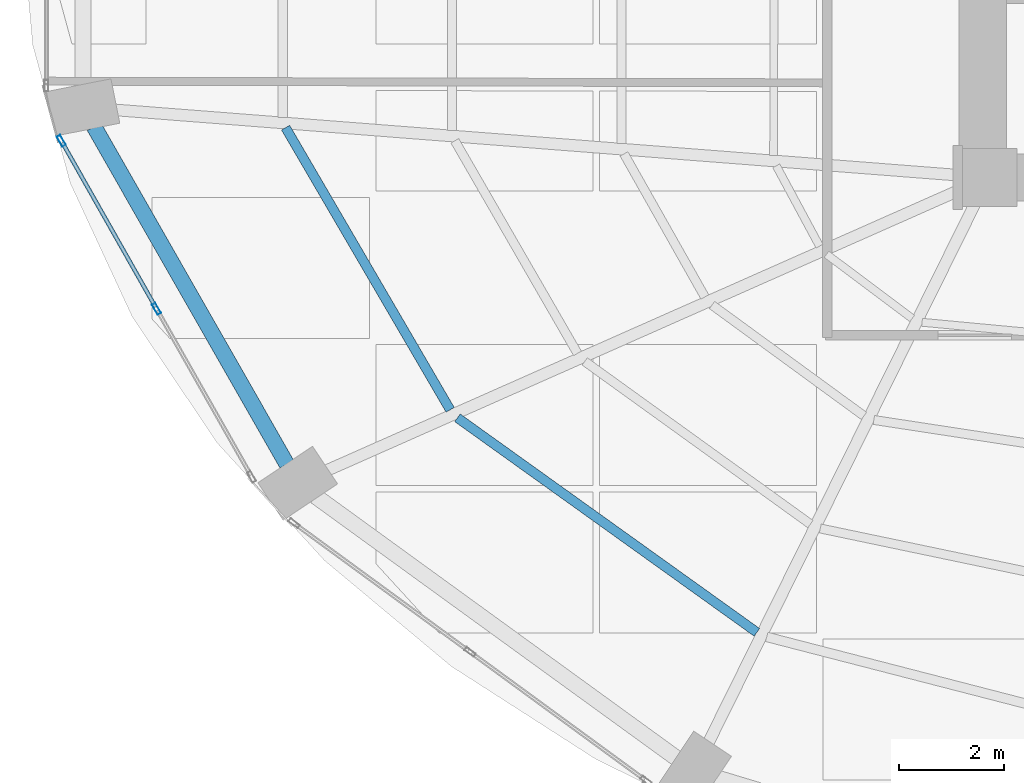
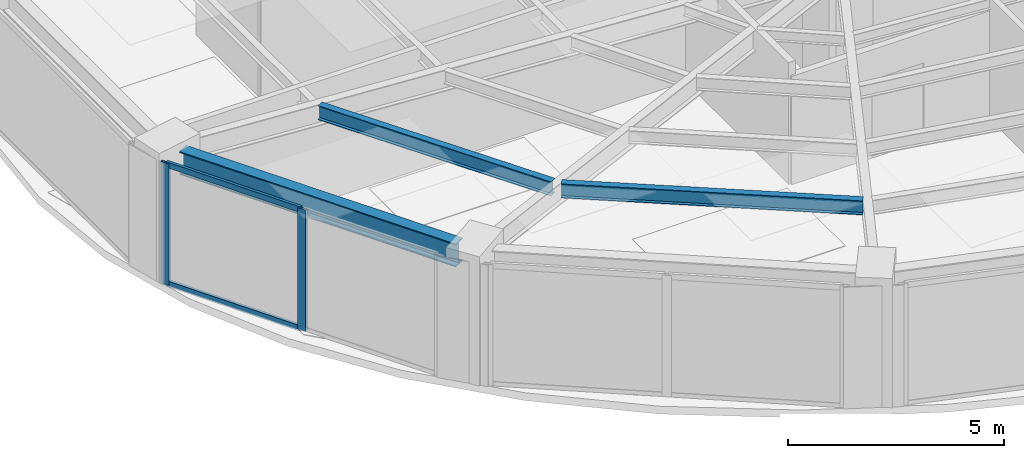
# One storey, part 3 of 24: 4 members, 3 beams, 1 element without a shape of its own.
"""IFC4 building model written with IfcOpenShell, lengths in metres."""

from ifc_helpers import new_model, si_unit, direction, frame, origin, origin_2d, place, context, subcontext, project, spatial, hollow_rectangle, i_section, extrude, material, layer, layer_set, material_profile, profile_set, type_object, element, aggregate, save


model = new_model("IFC4")

# Units and contexts
model_context = context("Model", 3, precision=1e-05, world=origin(), true_north=direction((0.0, 1.0)))
body_context = subcontext(model_context, "Body", "Model", "MODEL_VIEW")
ifc_project = project(units=[si_unit("LENGTHUNIT", "METRE"), si_unit("AREAUNIT", "SQUARE_METRE"), si_unit("VOLUMEUNIT", "CUBIC_METRE"), si_unit("PLANEANGLEUNIT", "RADIAN"), si_unit("MASSUNIT", "GRAM", prefix="KILO")], contexts=[model_context])

# Site, building, storey
site_placement = place(None, origin())
site = spatial("IfcSite", under=ifc_project, at=site_placement, CompositionType="ELEMENT")
building_placement = place(site_placement, origin())
building = spatial("IfcBuilding", under=site, at=building_placement, Name="Lazwardi Medical Tower", CompositionType="ELEMENT")
storey_placement = place(building_placement, frame((0.0, 0.0, 58.031982421875)))
storey = spatial("IfcBuildingStorey", under=building, at=storey_placement, Name="L14", CompositionType="ELEMENT", Elevation=58.031982421875)

# Beams
ifc_material_1 = material(Name="Steel S355", Category="steel")
ifc_material_profile_1 = material_profile(ifc_material_1, i_section(OverallWidth=0.300048828125, OverallDepth=0.64990234375, WebThickness=0.01611328125, FlangeThickness=0.031005859375, at=origin_2d()), Name="HEB 650")
ifc_profile_set_1 = profile_set([ifc_material_profile_1], Name="Steel S355")
beam_type_1 = type_object("IfcBeamType", Name="BM-RB-Z1", PredefinedType="BEAM", material=ifc_profile_set_1)
beam_1_placement = place(storey_placement, frame((9.408203125, 21.36767578125, 3.10302734375), z_axis=(0.49581512241, -0.868428099724, 0.0), x_axis=(0.868428099724, 0.49581512241, 0.0)))
element("IfcBeam", 1, at=beam_1_placement, inside=storey, type_object=beam_type_1, Name="Ring beam RB-02 B13 L14", PredefinedType="BEAM", context=body_context, shape_type="SweptSolid", body=[
    extrude(i_section(OverallWidth=0.300048828125, OverallDepth=0.64990234375, WebThickness=0.01611328125, FlangeThickness=0.031005859375, at=origin_2d()), origin(), (0.0, 0.0, 1.0), 7.389404296875),
])
ifc_material_profile_2 = material_profile(ifc_material_1, i_section(OverallWidth=0.179931640625, OverallDepth=0.39990234375, WebThickness=0.008544921875, FlangeThickness=0.013427734375, at=origin_2d()), Name="IPE 400")
ifc_profile_set_2 = profile_set([ifc_material_profile_2], Name="Steel S355")
beam_type_2 = type_object("IfcBeamType", Name="BM-SJ-01", PredefinedType="JOIST", material=ifc_profile_set_2)
beam_2_placement = place(storey_placement, frame((13.048828125, 21.34765625, 3.22802734375), z_axis=(0.503846579557, -0.863793160582, 0.0), x_axis=(0.863793160582, 0.503846579557, 0.0)))
element("IfcBeam", 2, at=beam_2_placement, inside=storey, type_object=beam_type_2, Name="Secondary joist SJ-01 R1 B13 L14", PredefinedType="JOIST", context=body_context, shape_type="SweptSolid", body=[
    extrude(i_section(OverallWidth=0.179931640625, OverallDepth=0.39990234375, WebThickness=0.008544921875, FlangeThickness=0.013427734375, at=origin_2d()), origin(), (0.0, 0.0, 1.0), 6.20947265625),
])
beam_3_placement = place(storey_placement, frame((16.31591796875, 15.83203125, 3.22802734375), z_axis=(0.812901036873, -0.582401840872, 0.0), x_axis=(0.582401840872, 0.812901036873, 0.0)))
element("IfcBeam", 3, at=beam_3_placement, inside=storey, type_object=beam_type_2, Name="Secondary joist SJ-01 R1 B14 L14", PredefinedType="JOIST", context=body_context, shape_type="SweptSolid", body=[
    extrude(i_section(OverallWidth=0.179931640625, OverallDepth=0.39990234375, WebThickness=0.008544921875, FlangeThickness=0.013427734375, at=origin_2d()), origin(), (0.0, 0.0, 1.0), 7.002197265625),
])

# Curtain wall, members
ifc_material_2 = material(Name="Anodised bronze aluminium and solar control glazing", Category="aluminium")
ifc_layer = layer(ifc_material_2, 0.199951171875)
ifc_layer_set = layer_set([ifc_layer], Name="Anodised bronze aluminium and solar control glazing")
curtain_wall_type = type_object("IfcCurtainWallType", Name="CW-SYS-02", PredefinedType="NOTDEFINED", material=ifc_layer_set)
curtain_wall_placement = place(storey_placement, origin())
curtain_wall = element("IfcCurtainWall", 4, at=curtain_wall_placement, inside=storey, type_object=curtain_wall_type, Name="L14 Unitised bronze curtain wall CW-02", PredefinedType="NOTDEFINED")
ifc_material_3 = material(Name="Anodised bronze aluminium", Category="aluminium")
ifc_material_profile_3 = material_profile(ifc_material_3, hollow_rectangle(XDim=0.074951171875, YDim=0.219970703125, WallThickness=0.00390625, at=origin_2d()), Name="ALU-MULLION 220x75x4")
ifc_profile_set_3 = profile_set([ifc_material_profile_3], Name="Anodised bronze aluminium")
member_type_1 = type_object("IfcMemberType", Name="CW-MUL-01", PredefinedType="MULLION", material=ifc_profile_set_3)
member_1_placement = place(storey_placement, frame((8.785888671875, 21.09765625, 0.0), z_axis=(0.0, 0.0, 1.0), x_axis=(0.870111838823, 0.492854327303, 0.0)))
member_1 = element("IfcMember", 5, at=member_1_placement, type_object=member_type_1, Name="CW-02 mullion 1", PredefinedType="MULLION", context=body_context, shape_type="SweptSolid", body=[
    extrude(hollow_rectangle(XDim=0.074951171875, YDim=0.219970703125, WallThickness=0.00390625, at=origin_2d()), origin(), (0.0, 0.0, 1.0), 3.427978515625),
])
member_2_placement = place(storey_placement, frame((10.5947265625, 17.904541015625, 0.0), z_axis=(0.0, 0.0, 1.0), x_axis=(0.870111838823, 0.492854327303, 0.0)))
member_2 = element("IfcMember", 6, at=member_2_placement, type_object=member_type_1, Name="CW-02 mullion 2", PredefinedType="MULLION", context=body_context, shape_type="SweptSolid", body=[
    extrude(hollow_rectangle(XDim=0.074951171875, YDim=0.219970703125, WallThickness=0.00390625, at=origin_2d()), origin(), (0.0, 0.0, 1.0), 3.427978515625),
])
ifc_material_profile_4 = material_profile(ifc_material_3, hollow_rectangle(XDim=0.074951171875, YDim=0.159912109375, WallThickness=0.00390625, at=origin_2d()), Name="ALU-TRANSOM 160x75x4")
ifc_profile_set_4 = profile_set([ifc_material_profile_4], Name="Anodised bronze aluminium")
member_type_2 = type_object("IfcMemberType", Name="CW-TRN-01", PredefinedType="USERDEFINED", material=ifc_profile_set_4)
member_3_placement = place(storey_placement, frame((8.804443359375, 21.06494140625, 0.03759765625), z_axis=(0.492880614687, -0.870096948429, 0.0), x_axis=(0.870096948429, 0.492880614687, 0.0)))
member_3 = element("IfcMember", 7, at=member_3_placement, type_object=member_type_2, Name="CW-02 transom 1.1", ObjectType="TRANSOM", PredefinedType="USERDEFINED", context=body_context, shape_type="SweptSolid", body=[
    extrude(hollow_rectangle(XDim=0.074951171875, YDim=0.159912109375, WallThickness=0.00390625, at=origin_2d()), origin(), (0.0, 0.0, 1.0), 3.5947265625),
])
member_4_placement = place(storey_placement, frame((8.804443359375, 21.06494140625, 3.390625), z_axis=(0.492880614687, -0.870096948429, 0.0), x_axis=(0.870096948429, 0.492880614687, 0.0)))
member_4 = element("IfcMember", 8, at=member_4_placement, type_object=member_type_2, Name="CW-02 transom 1.2", ObjectType="TRANSOM", PredefinedType="USERDEFINED", context=body_context, shape_type="SweptSolid", body=[
    extrude(hollow_rectangle(XDim=0.074951171875, YDim=0.159912109375, WallThickness=0.00390625, at=origin_2d()), origin(), (0.0, 0.0, 1.0), 3.5947265625),
])
aggregate(curtain_wall, [member_1, member_2, member_3, member_4])

save(model, "model.ifc")
